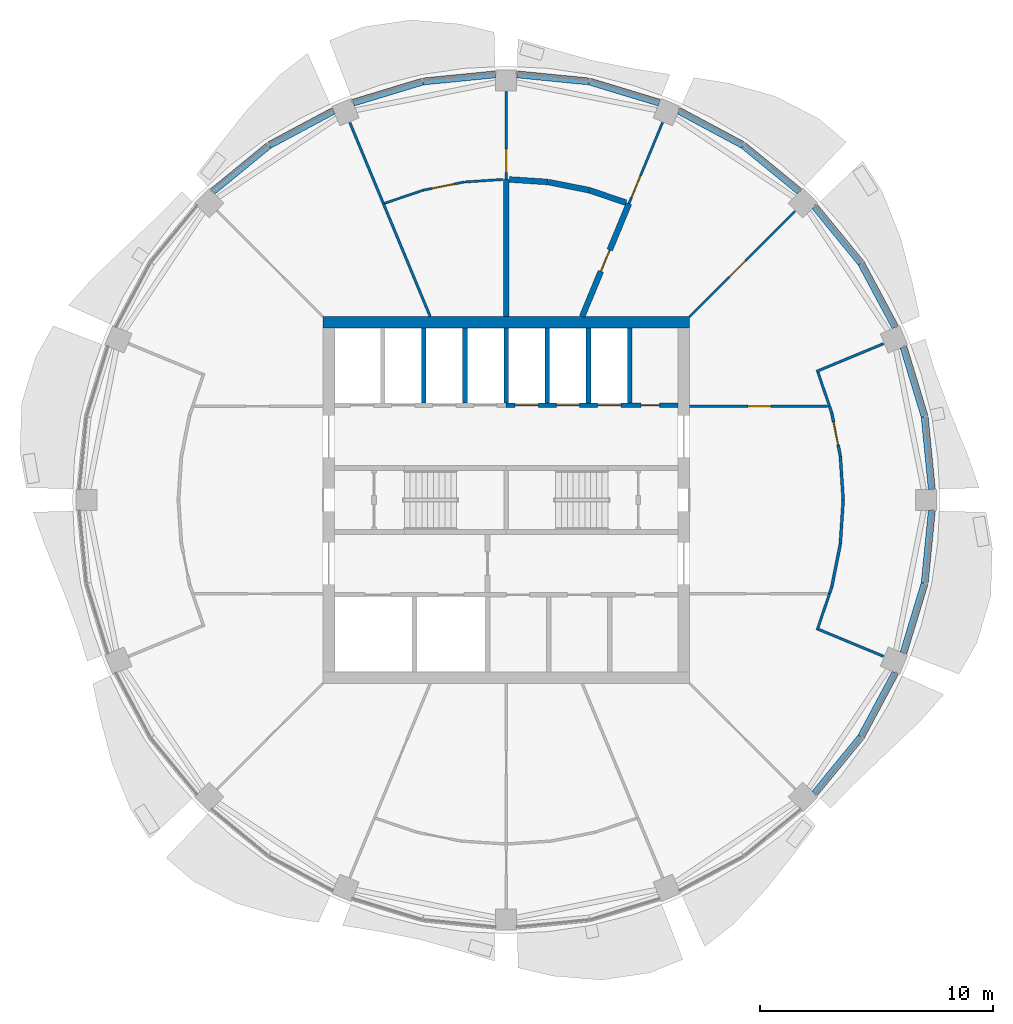
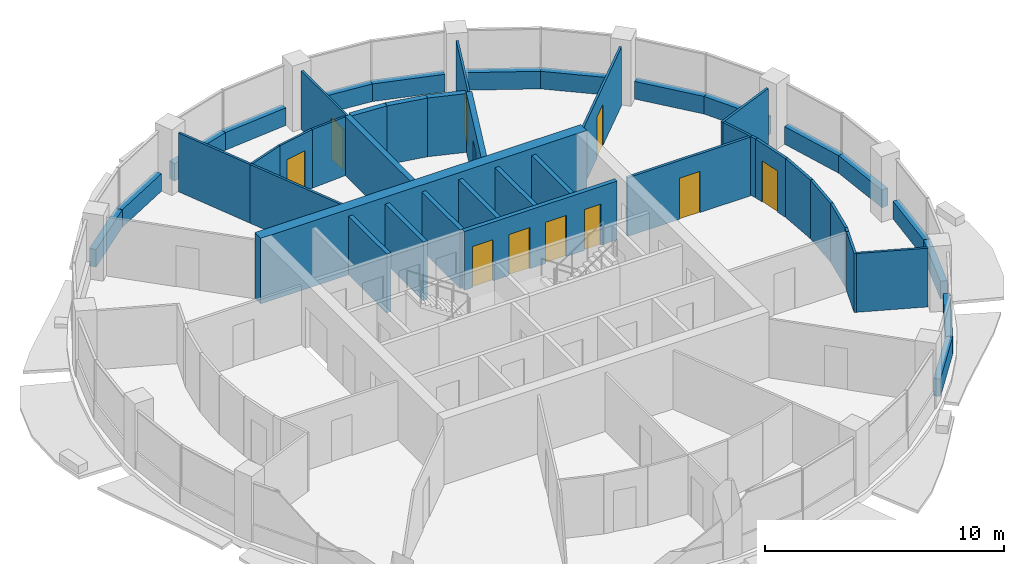
# One storey, part 10 of 15: 48 walls, 11 doors, 11 openings.
"""IFC4 building model written with IfcOpenShell, lengths in metres."""

from ifc_helpers import new_model, si_unit, direction, frame, frame_2d, origin, place, context, subcontext, project, spatial, rectangle, extrude, material, layer, layer_set, type_object, element, fill, save


model = new_model("IFC4")

# Units and contexts
model_context = context("Model", 3, precision=1e-05, world=origin(), true_north=direction((0.0, 1.0)))
body_context = subcontext(model_context, "Body", "Model", "MODEL_VIEW")
ifc_project = project(units=[si_unit("LENGTHUNIT", "METRE"), si_unit("AREAUNIT", "SQUARE_METRE"), si_unit("VOLUMEUNIT", "CUBIC_METRE"), si_unit("PLANEANGLEUNIT", "RADIAN"), si_unit("MASSUNIT", "GRAM", prefix="KILO")], contexts=[model_context])

# Site, building, storey
site_placement = place(None, origin())
site = spatial("IfcSite", under=ifc_project, at=site_placement, CompositionType="ELEMENT")
building_placement = place(site_placement, origin())
building = spatial("IfcBuilding", under=site, at=building_placement, Name="Polderwave Tower", CompositionType="ELEMENT")
storey_placement = place(building_placement, frame((0.0, 0.0, 177.60009765625)))
storey = spatial("IfcBuildingStorey", under=building, at=storey_placement, Name="L47", CompositionType="ELEMENT", Elevation=177.60009765625)

# Walls
ifc_material_1 = material(Name="Concrete C60/75", Category="concrete")
ifc_layer_1 = layer(ifc_material_1, 0.5)
ifc_layer_set_1 = layer_set([ifc_layer_1], Name="CORE WALL 500 C60/75")
wall_type_1 = type_object("IfcWallType", Name="CORE WALL 500 C60/75", PredefinedType="SHEAR", material=ifc_layer_set_1)
wall_1_placement = place(storey_placement, frame((-7.8740234375, 7.6240234375, 0.0), z_axis=(0.0, 0.0, 1.0), x_axis=(1.0, 0.0, 0.0)))
element("IfcWall", 1, at=wall_1_placement, inside=storey, type_object=wall_type_1, Name="ST-CORE-L47-N", PredefinedType="SHEAR", context=body_context, shape_type="SweptSolid", body=[
    extrude(rectangle(XDim=15.748046875, YDim=0.5, at=frame_2d((7.8740234375, 0.0))), origin(), (0.0, 0.0, 1.0), 3.349853515625),
])
ifc_material_2 = material(Name="Concrete C50/60 (board-marked)", Category="concrete")
ifc_layer_2 = layer(ifc_material_2, 0.300048828125)
ifc_layer_set_2 = layer_set([ifc_layer_2], Name="Concrete spandrel upstand C50/60")
wall_type_2 = type_object("IfcWallType", Name="Concrete spandrel upstand C50/60", PredefinedType="SOLIDWALL", material=ifc_layer_set_2)
wall_2_placement = place(storey_placement, frame((18.2744140625, 0.4638671875, 0.0), z_axis=(0.0, 0.0, 1.0), x_axis=(-0.098042483483, 0.995182230264, 0.0)))
element("IfcWall", 2, at=wall_2_placement, inside=storey, type_object=wall_type_2, Name="Spandrel L47 1a", PredefinedType="SOLIDWALL", context=body_context, shape_type="SweptSolid", body=[
    extrude(rectangle(XDim=3.110107421875, YDim=0.300048828125, at=frame_2d((1.55517578125, 0.0))), origin(), (0.0, 0.0, 1.0), 0.89990234375),
])
for number, where, z_axis, x_axis, name in (
    (3, (17.963623046875, 3.58837890625, 0.0), (0.0, 0.0, 1.0), (-0.290421284339, 0.956898885778, 0.0), "Spandrel L47 1b"),
    (4, (16.705810546875, 7.422119140625, 0.0), (0.0, 0.0, 1.0), (-0.471598312985, 0.881813490025, 0.0), "Spandrel L47 2a"),
):
    element("IfcWall", number, at=place(storey_placement, frame(where, z_axis=z_axis, x_axis=x_axis)), inside=storey, type_object=wall_type_2, Name=name, PredefinedType="SOLIDWALL", context=body_context, shape_type="SweptSolid", body=[
        extrude(rectangle(XDim=3.1103515625, YDim=0.300048828125, at=frame_2d((1.55517578125, 0.0))), origin(), (0.0, 0.0, 1.0), 0.89990234375),
    ])
for number, where, z_axis, x_axis, name in (
    (5, (15.222412109375, 10.189697265625, 0.0), (0.0, 0.0, 1.0), (-0.634267296653, 0.773113831461, 0.0), "Spandrel L47 2b"),
    (6, (12.594482421875, 13.24951171875, 0.0), (0.0, 0.0, 1.0), (-0.773113831461, 0.634267296653, 0.0), "Spandrel L47 3a"),
):
    element("IfcWall", number, at=place(storey_placement, frame(where, z_axis=z_axis, x_axis=x_axis)), inside=storey, type_object=wall_type_2, Name=name, PredefinedType="SOLIDWALL", context=body_context, shape_type="SweptSolid", body=[
        extrude(rectangle(XDim=3.110595703125, YDim=0.300048828125, at=frame_2d((1.55517578125, 0.0))), origin(), (0.0, 0.0, 1.0), 0.89990234375),
    ])
for number, where, z_axis, x_axis, name in (
    (7, (10.164794921875, 15.239013671875, 0.0), (0.0, 0.0, 1.0), (-0.881813490025, 0.471598312985, 0.0), "Spandrel L47 3b"),
    (8, (6.564697265625, 17.060302734375, 0.0), (0.0, 0.0, 1.0), (-0.956898885778, 0.290421284339, 0.0), "Spandrel L47 4a"),
):
    element("IfcWall", number, at=place(storey_placement, frame(where, z_axis=z_axis, x_axis=x_axis)), inside=storey, type_object=wall_type_2, Name=name, PredefinedType="SOLIDWALL", context=body_context, shape_type="SweptSolid", body=[
        extrude(rectangle(XDim=3.1103515625, YDim=0.300048828125, at=frame_2d((1.55517578125, 0.0))), origin(), (0.0, 0.0, 1.0), 0.89990234375),
    ])
for number, where, z_axis, x_axis, name in (
    (9, (3.55908203125, 17.969482421875, 0.0), (0.0, 0.0, 1.0), (-0.995182230264, 0.098042483483, 0.0), "Spandrel L47 4b"),
    (10, (-0.4638671875, 18.2744140625, 0.0), (0.0, 0.0, 1.0), (-0.995182230264, -0.098042483483, 0.0), "Spandrel L47 5a"),
):
    element("IfcWall", number, at=place(storey_placement, frame(where, z_axis=z_axis, x_axis=x_axis)), inside=storey, type_object=wall_type_2, Name=name, PredefinedType="SOLIDWALL", context=body_context, shape_type="SweptSolid", body=[
        extrude(rectangle(XDim=3.110107421875, YDim=0.300048828125, at=frame_2d((1.55517578125, 0.0))), origin(), (0.0, 0.0, 1.0), 0.89990234375),
    ])
for number, where, z_axis, x_axis, name in (
    (11, (-3.58837890625, 17.963623046875, 0.0), (0.0, 0.0, 1.0), (-0.956898885778, -0.290421284339, 0.0), "Spandrel L47 5b"),
    (12, (-7.422119140625, 16.705810546875, 0.0), (0.0, 0.0, 1.0), (-0.881813490025, -0.471598312985, 0.0), "Spandrel L47 6a"),
):
    element("IfcWall", number, at=place(storey_placement, frame(where, z_axis=z_axis, x_axis=x_axis)), inside=storey, type_object=wall_type_2, Name=name, PredefinedType="SOLIDWALL", context=body_context, shape_type="SweptSolid", body=[
        extrude(rectangle(XDim=3.1103515625, YDim=0.300048828125, at=frame_2d((1.55517578125, 0.0))), origin(), (0.0, 0.0, 1.0), 0.89990234375),
    ])
for number, where, z_axis, x_axis, name in (
    (13, (-10.189697265625, 15.222412109375, 0.0), (0.0, 0.0, 1.0), (-0.773113831461, -0.634267296653, 0.0), "Spandrel L47 6b"),
    (14, (13.24951171875, -12.594482421875, 0.0), (0.0, 0.0, 1.0), (0.634267296653, 0.773113831461, 0.0), "Spandrel L47 15a"),
):
    element("IfcWall", number, at=place(storey_placement, frame(where, z_axis=z_axis, x_axis=x_axis)), inside=storey, type_object=wall_type_2, Name=name, PredefinedType="SOLIDWALL", context=body_context, shape_type="SweptSolid", body=[
        extrude(rectangle(XDim=3.110595703125, YDim=0.300048828125, at=frame_2d((1.55517578125, 0.0))), origin(), (0.0, 0.0, 1.0), 0.89990234375),
    ])
for number, where, z_axis, x_axis, name in (
    (15, (15.239013671875, -10.164794921875, 0.0), (0.0, 0.0, 1.0), (0.471598312985, 0.881813490025, 0.0), "Spandrel L47 15b"),
    (16, (17.060302734375, -6.564697265625, 0.0), (0.0, 0.0, 1.0), (0.290421284339, 0.956898885778, 0.0), "Spandrel L47 16a"),
):
    element("IfcWall", number, at=place(storey_placement, frame(where, z_axis=z_axis, x_axis=x_axis)), inside=storey, type_object=wall_type_2, Name=name, PredefinedType="SOLIDWALL", context=body_context, shape_type="SweptSolid", body=[
        extrude(rectangle(XDim=3.1103515625, YDim=0.300048828125, at=frame_2d((1.55517578125, 0.0))), origin(), (0.0, 0.0, 1.0), 0.89990234375),
    ])
wall_3_placement = place(storey_placement, frame((17.969482421875, -3.55908203125, 0.0), z_axis=(0.0, 0.0, 1.0), x_axis=(0.098042483483, 0.995182230264, 0.0)))
element("IfcWall", 17, at=wall_3_placement, inside=storey, type_object=wall_type_2, Name="Spandrel L47 16b", PredefinedType="SOLIDWALL", context=body_context, shape_type="SweptSolid", body=[
    extrude(rectangle(XDim=3.110107421875, YDim=0.300048828125, at=frame_2d((1.55517578125, 0.0))), origin(), (0.0, 0.0, 1.0), 0.89990234375),
])

# Wall, openings, doors
ifc_material_3 = material(Name="Concrete C50/60", Category="concrete")
ifc_layer_3 = layer(ifc_material_3, 0.199951171875)
ifc_layer_set_3 = layer_set([ifc_layer_3], Name="Core web wall 200")
wall_type_3 = type_object("IfcWallType", Name="Core web wall 200", PredefinedType="SHEAR", material=ifc_layer_set_3)
wall_4_placement = place(storey_placement, frame((0.0, 4.073974609375, 0.0), z_axis=(0.0, 0.0, 1.0), x_axis=(1.0, 0.0, 0.0)))
wall_4 = element("IfcWall", 18, at=wall_4_placement, inside=storey, type_object=wall_type_3, Name="L47 north front wall 2", PredefinedType="SHEAR", context=body_context, shape_type="SweptSolid", body=[
    extrude(rectangle(XDim=7.3740234375, YDim=0.199951171875, at=frame_2d((3.68701171875, 0.0))), origin(), (0.0, 0.0, 1.0), 3.0),
])
opening_1_placement = place(wall_4_placement, frame((0.38427734375, 0.0, 0.0)))
opening_1 = element("IfcOpeningElement", 19, at=opening_1_placement, cuts=wall_4, Name="Opening L47-D07", PredefinedType="OPENING", context=body_context, shape_type="SweptSolid", body=[
    extrude(rectangle(XDim=1.0, YDim=2.10009765625, at=frame_2d((0.5, 1.050048828125))), frame((0.0, 0.10986328125, 0.0), z_axis=(0.0, -1.0, 0.0), x_axis=(1.0, 0.0, 0.0)), (0.0, 0.0, 1.0), 0.219970703125),
])
opening_2_placement = place(wall_4_placement, frame((2.15283203125, 0.0, 0.0)))
opening_2 = element("IfcOpeningElement", 20, at=opening_2_placement, cuts=wall_4, Name="Opening L47-D08", PredefinedType="OPENING", context=body_context, shape_type="SweptSolid", body=[
    extrude(rectangle(XDim=1.0, YDim=2.10009765625, at=frame_2d((0.5, 1.050048828125))), frame((0.0, 0.10986328125, 0.0), z_axis=(0.0, -1.0, 0.0), x_axis=(1.0, 0.0, 0.0)), (0.0, 0.0, 1.0), 0.219970703125),
])
opening_3_placement = place(wall_4_placement, frame((3.921142578125, 0.0, 0.0)))
opening_3 = element("IfcOpeningElement", 21, at=opening_3_placement, cuts=wall_4, Name="Opening L47-D09", PredefinedType="OPENING", context=body_context, shape_type="SweptSolid", body=[
    extrude(rectangle(XDim=1.0, YDim=2.10009765625, at=frame_2d((0.5, 1.050048828125))), frame((0.0, 0.10986328125, 0.0), z_axis=(0.0, -1.0, 0.0), x_axis=(1.0, 0.0, 0.0)), (0.0, 0.0, 1.0), 0.219970703125),
])
opening_4_placement = place(wall_4_placement, frame((5.789794921875, 0.0, 0.0)))
opening_4 = element("IfcOpeningElement", 22, at=opening_4_placement, cuts=wall_4, Name="Opening L47-D18", PredefinedType="OPENING", context=body_context, shape_type="SweptSolid", body=[
    extrude(rectangle(XDim=0.800048828125, YDim=2.10009765625, at=frame_2d((0.39990234375, 1.050048828125))), frame((0.0, 0.10986328125, 0.0), z_axis=(0.0, -1.0, 0.0), x_axis=(1.0, 0.0, 0.0)), (0.0, 0.0, 1.0), 0.219970703125),
])
ifc_material_4 = material(Name="Stainless steel", Category="steel")
door_type_1 = type_object("IfcDoorType", Name="Lift landing door 1000", OperationType="DOUBLE_DOOR_SLIDING", PredefinedType="DOOR", material=ifc_material_4)
door_1_placement = place(opening_1_placement, frame((1.0, 0.0, 0.0), z_axis=(0.0, 0.0, 1.0), x_axis=(-1.0, 0.0, 0.0)))
door_1 = element("IfcDoor", 23, at=door_1_placement, inside=storey, type_object=door_type_1, Name="Lift HL5 landing door", OperationType="DOUBLE_DOOR_SLIDING", OverallHeight=2.10009765625, OverallWidth=1.0, PredefinedType="DOOR", context=body_context, shape_type="SweptSolid", body=[
    extrude(rectangle(XDim=1.0, YDim=2.10009765625, at=frame_2d((0.5, 1.050048828125))), frame((0.0, 0.02490234375, 0.0), z_axis=(0.0, -1.0, 0.0), x_axis=(1.0, 0.0, 0.0)), (0.0, 0.0, 1.0), 0.050048828125),
])
fill(opening_1, door_1)
door_2_placement = place(opening_2_placement, frame((1.0, 0.0, 0.0), z_axis=(0.0, 0.0, 1.0), x_axis=(-1.0, 0.0, 0.0)))
door_2 = element("IfcDoor", 24, at=door_2_placement, inside=storey, type_object=door_type_1, Name="Lift HL6 landing door", OperationType="DOUBLE_DOOR_SLIDING", OverallHeight=2.10009765625, OverallWidth=1.0, PredefinedType="DOOR", context=body_context, shape_type="SweptSolid", body=[
    extrude(rectangle(XDim=1.0, YDim=2.10009765625, at=frame_2d((0.5, 1.050048828125))), frame((0.0, 0.02490234375, 0.0), z_axis=(0.0, -1.0, 0.0), x_axis=(1.0, 0.0, 0.0)), (0.0, 0.0, 1.0), 0.050048828125),
])
fill(opening_2, door_2)
door_3_placement = place(opening_3_placement, frame((1.0, 0.0, 0.0), z_axis=(0.0, 0.0, 1.0), x_axis=(-1.0, 0.0, 0.0)))
door_3 = element("IfcDoor", 25, at=door_3_placement, inside=storey, type_object=door_type_1, Name="Lift HL7 landing door", OperationType="DOUBLE_DOOR_SLIDING", OverallHeight=2.10009765625, OverallWidth=1.0, PredefinedType="DOOR", context=body_context, shape_type="SweptSolid", body=[
    extrude(rectangle(XDim=1.0, YDim=2.10009765625, at=frame_2d((0.5, 1.050048828125))), frame((0.0, 0.02490234375, 0.0), z_axis=(0.0, -1.0, 0.0), x_axis=(1.0, 0.0, 0.0)), (0.0, 0.0, 1.0), 0.050048828125),
])
fill(opening_3, door_3)
ifc_material_5 = material(Name="Steel fire door", Category="steel")
door_type_2 = type_object("IfcDoorType", Name="Riser door 800", OperationType="NOTDEFINED", PredefinedType="DOOR", material=ifc_material_5)
door_4_placement = place(opening_4_placement, frame((0.800048828125, 0.0, 0.0), z_axis=(0.0, 0.0, 1.0), x_axis=(-1.0, 0.0, 0.0)))
door_4 = element("IfcDoor", 26, at=door_4_placement, inside=storey, type_object=door_type_2, Name="Riser door", OperationType="SINGLE_SWING_LEFT", OverallHeight=2.10009765625, OverallWidth=0.800048828125, PredefinedType="DOOR", context=body_context, shape_type="SweptSolid", body=[
    extrude(rectangle(XDim=0.800048828125, YDim=2.10009765625, at=frame_2d((0.39990234375, 1.050048828125))), frame((0.0, 0.02490234375, 0.0), z_axis=(0.0, -1.0, 0.0), x_axis=(1.0, 0.0, 0.0)), (0.0, 0.0, 1.0), 0.050048828125),
])
fill(opening_4, door_4)

# Walls
ifc_material_6 = material(Name="Fire-resisting board on steel studs", Category="steel")
ifc_layer_4 = layer(ifc_material_6, 0.125)
ifc_layer_set_4 = layer_set([ifc_layer_4], Name="Corridor wall 125 mm EI 60")
wall_type_4 = type_object("IfcWallType", Name="Corridor wall 125 mm EI 60", PredefinedType="PARTITIONING", material=ifc_layer_set_4)
for number, where, z_axis, x_axis, name in (
    (27, (13.882080078125, 4.0244140625, 0.0), (0.0, 0.0, 1.0), (0.321511421405, -0.946905700641, 0.0), "IN-L47-W001"),
    (28, (13.9755859375, -3.7490234375, 0.0), (0.0, 0.0, 1.0), (-0.321511421405, -0.946905700641, 0.0), "IN-L47-W002"),
):
    element("IfcWall", number, at=place(storey_placement, frame(where, z_axis=z_axis, x_axis=x_axis)), inside=storey, type_object=wall_type_4, Name=name, PredefinedType="PARTITIONING", context=body_context, shape_type="SweptSolid", body=[
        extrude(rectangle(XDim=0.290771484375, YDim=0.125, at=frame_2d((0.1455078125, 0.0))), origin(), (0.0, 0.0, 1.0), 3.0),
    ])

# Wall, opening, door
wall_5_placement = place(storey_placement, frame((13.977783203125, 3.7412109375, 0.0), z_axis=(0.0, 0.0, 1.0), x_axis=(0.195069832264, -0.980789355846, 0.0)))
wall_5 = element("IfcWall", 29, at=wall_5_placement, inside=storey, type_object=wall_type_4, Name="IN-L47-W003", PredefinedType="PARTITIONING", context=body_context, shape_type="SweptSolid", body=[
    extrude(rectangle(XDim=1.884765625, YDim=0.125, at=frame_2d((0.9423828125, 0.0))), origin(), (0.0, 0.0, 1.0), 3.0),
])
opening_5_placement = place(wall_5_placement, frame((0.39990234375, 0.0, 0.0)))
opening_5 = element("IfcOpeningElement", 30, at=opening_5_placement, cuts=wall_5, Name="Opening L47-D50", PredefinedType="OPENING", context=body_context, shape_type="SweptSolid", body=[
    extrude(rectangle(XDim=1.0, YDim=2.10009765625, at=frame_2d((0.5, 1.050048828125))), frame((0.0, 0.072509765625, 0.0), z_axis=(0.0, -1.0, 0.0), x_axis=(1.0, 0.0, 0.0)), (0.0, 0.0, 1.0), 0.14501953125),
])
ifc_material_7 = material(Name="Timber fire door leaf", Category="wood")
door_type_3 = type_object("IfcDoorType", Name="Fire door FD30S 1000 x 2100", OperationType="NOTDEFINED", PredefinedType="DOOR", material=ifc_material_7)
door_5_placement = place(opening_5_placement, origin())
door_5 = element("IfcDoor", 31, at=door_5_placement, inside=storey, type_object=door_type_3, Name="Door L47-D50", OperationType="SINGLE_SWING_LEFT", OverallHeight=2.10009765625, OverallWidth=1.0, PredefinedType="DOOR", context=body_context, shape_type="SweptSolid", body=[
    extrude(rectangle(XDim=1.0, YDim=2.10009765625, at=frame_2d((0.5, 1.050048828125))), frame((0.0, 0.02490234375, 0.0), z_axis=(0.0, -1.0, 0.0), x_axis=(1.0, 0.0, 0.0)), (0.0, 0.0, 1.0), 0.050048828125),
])
fill(opening_5, door_5)

# Walls
wall_6_placement = place(storey_placement, frame((14.345458984375, -1.892578125, 0.0), z_axis=(0.0, 0.0, 1.0), x_axis=(-0.195069832264, -0.980789355846, 0.0)))
element("IfcWall", 32, at=wall_6_placement, inside=storey, type_object=wall_type_4, Name="IN-L47-W004", PredefinedType="PARTITIONING", context=body_context, shape_type="SweptSolid", body=[
    extrude(rectangle(XDim=1.884765625, YDim=0.125, at=frame_2d((0.9423828125, 0.0))), origin(), (0.0, 0.0, 1.0), 3.0),
])
for number, where, z_axis, x_axis, name in (
    (33, (14.346435546875, 1.884521484375, 0.0), (0.0, 0.0, 1.0), (0.065426898124, -0.997857365059, 0.0), "IN-L47-W005"),
    (34, (14.4697265625, -0.004150390625, 0.0), (0.0, 0.0, 1.0), (-0.065426898124, -0.997857365059, 0.0), "IN-L47-W006"),
):
    element("IfcWall", number, at=place(storey_placement, frame(where, z_axis=z_axis, x_axis=x_axis)), inside=storey, type_object=wall_type_4, Name=name, PredefinedType="PARTITIONING", context=body_context, shape_type="SweptSolid", body=[
        extrude(rectangle(XDim=1.884521484375, YDim=0.125, at=frame_2d((0.9423828125, 0.0))), origin(), (0.0, 0.0, 1.0), 3.0),
    ])

# Wall, opening, door
wall_7_placement = place(storey_placement, frame((7.8740234375, 4.0244140625, 0.0), z_axis=(0.0, 0.0, 1.0), x_axis=(1.0, 0.0, 0.0)))
wall_7 = element("IfcWall", 35, at=wall_7_placement, inside=storey, type_object=wall_type_4, Name="IN-L47-W007", PredefinedType="PARTITIONING", context=body_context, shape_type="SweptSolid", body=[
    extrude(rectangle(XDim=5.9208984375, YDim=0.125, at=frame_2d((2.96044921875, 0.0))), origin(), (0.0, 0.0, 1.0), 3.0),
])
opening_6_placement = place(wall_7_placement, frame((2.5, 0.0, 0.0)))
opening_6 = element("IfcOpeningElement", 36, at=opening_6_placement, cuts=wall_7, Name="Opening L47-D51", PredefinedType="OPENING", context=body_context, shape_type="SweptSolid", body=[
    extrude(rectangle(XDim=1.0, YDim=2.10009765625, at=frame_2d((0.5, 1.050048828125))), frame((0.0, 0.072509765625, 0.0), z_axis=(0.0, -1.0, 0.0), x_axis=(1.0, 0.0, 0.0)), (0.0, 0.0, 1.0), 0.14501953125),
])
door_6_placement = place(opening_6_placement, origin())
door_6 = element("IfcDoor", 37, at=door_6_placement, inside=storey, type_object=door_type_3, Name="Door L47-D51", OperationType="SINGLE_SWING_RIGHT", OverallHeight=2.10009765625, OverallWidth=1.0, PredefinedType="DOOR", context=body_context, shape_type="SweptSolid", body=[
    extrude(rectangle(XDim=1.0, YDim=2.10009765625, at=frame_2d((0.5, 1.050048828125))), frame((0.0, 0.02490234375, 0.0), z_axis=(0.0, -1.0, 0.0), x_axis=(1.0, 0.0, 0.0)), (0.0, 0.0, 1.0), 0.050048828125),
])
fill(opening_6, door_6)

ifc_material_8 = material(Name="Plasterboard on steel studs", Category="steel")
ifc_layer_5 = layer(ifc_material_8, 0.10009765625)
ifc_layer_set_5 = layer_set([ifc_layer_5], Name="Partition 100 mm plasterboard on steel studs")
wall_type_5 = type_object("IfcWallType", Name="Partition 100 mm plasterboard on steel studs", PredefinedType="PARTITIONING", material=ifc_layer_set_5)
wall_8_placement = place(storey_placement, frame((7.8740234375, 7.8740234375, 0.0), z_axis=(0.0, 0.0, 1.0), x_axis=(0.707106781187, 0.707106781187, 0.0)))
wall_8 = element("IfcWall", 38, at=wall_8_placement, inside=storey, type_object=wall_type_5, Name="IN-L47-W021", PredefinedType="PARTITIONING", context=body_context, shape_type="SweptSolid", body=[
    extrude(rectangle(XDim=6.404296875, YDim=0.10009765625, at=frame_2d((3.2021484375, 0.0))), origin(), (0.0, 0.0, 1.0), 3.0),
])
opening_7_placement = place(wall_8_placement, frame((2.39990234375, 0.0, 0.0)))
opening_7 = element("IfcOpeningElement", 39, at=opening_7_placement, cuts=wall_8, Name="Opening L47-D56", PredefinedType="OPENING", context=body_context, shape_type="SweptSolid", body=[
    extrude(rectangle(XDim=1.0, YDim=2.10009765625, at=frame_2d((0.5, 1.050048828125))), frame((0.0, 0.06005859375, 0.0), z_axis=(0.0, -1.0, 0.0), x_axis=(1.0, 0.0, 0.0)), (0.0, 0.0, 1.0), 0.1201171875),
])
ifc_material_9 = material(Name="Timber veneer door leaf", Category="wood")
door_type_4 = type_object("IfcDoorType", Name="Single door 1000 x 2100", OperationType="NOTDEFINED", PredefinedType="DOOR", material=ifc_material_9)
door_7_placement = place(opening_7_placement, origin())
door_7 = element("IfcDoor", 40, at=door_7_placement, inside=storey, type_object=door_type_4, Name="Door L47-D56", OperationType="SINGLE_SWING_LEFT", OverallHeight=2.10009765625, OverallWidth=1.0, PredefinedType="DOOR", context=body_context, shape_type="SweptSolid", body=[
    extrude(rectangle(XDim=1.0, YDim=2.10009765625, at=frame_2d((0.5, 1.050048828125))), frame((0.0, 0.02490234375, 0.0), z_axis=(0.0, -1.0, 0.0), x_axis=(1.0, 0.0, 0.0)), (0.0, 0.0, 1.0), 0.050048828125),
])
fill(opening_7, door_7)

wall_9_placement = place(storey_placement, frame((5.26953125, 12.7216796875, 0.0), z_axis=(0.0, 0.0, 1.0), x_axis=(0.382706376162, 0.923870028546, 0.0)))
wall_9 = element("IfcWall", 41, at=wall_9_placement, inside=storey, type_object=wall_type_5, Name="IN-L47-W023", PredefinedType="PARTITIONING", context=body_context, shape_type="SweptSolid", body=[
    extrude(rectangle(XDim=3.770263671875, YDim=0.10009765625, at=frame_2d((1.88525390625, 0.0))), origin(), (0.0, 0.0, 1.0), 3.0),
])
opening_8_placement = place(wall_9_placement, frame((0.300048828125, 0.0, 0.0)))
opening_8 = element("IfcOpeningElement", 42, at=opening_8_placement, cuts=wall_9, Name="Opening L47-D58", PredefinedType="OPENING", context=body_context, shape_type="SweptSolid", body=[
    extrude(rectangle(XDim=1.0, YDim=2.10009765625, at=frame_2d((0.5, 1.050048828125))), frame((0.0, 0.06005859375, 0.0), z_axis=(0.0, -1.0, 0.0), x_axis=(1.0, 0.0, 0.0)), (0.0, 0.0, 1.0), 0.1201171875),
])
door_8_placement = place(opening_8_placement, origin())
door_8 = element("IfcDoor", 43, at=door_8_placement, inside=storey, type_object=door_type_4, Name="Door L47-D58", OperationType="SINGLE_SWING_LEFT", OverallHeight=2.10009765625, OverallWidth=1.0, PredefinedType="DOOR", context=body_context, shape_type="SweptSolid", body=[
    extrude(rectangle(XDim=1.0, YDim=2.10009765625, at=frame_2d((0.5, 1.050048828125))), frame((0.0, 0.02490234375, 0.0), z_axis=(0.0, -1.0, 0.0), x_axis=(1.0, 0.0, 0.0)), (0.0, 0.0, 1.0), 0.050048828125),
])
fill(opening_8, door_8)

wall_10_placement = place(storey_placement, frame((0.0, 13.77001953125, 0.0), z_axis=(0.0, 0.0, 1.0), x_axis=(0.0, 1.0, 0.0)))
wall_10 = element("IfcWall", 44, at=wall_10_placement, inside=storey, type_object=wall_type_5, Name="IN-L47-W028", PredefinedType="PARTITIONING", context=body_context, shape_type="SweptSolid", body=[
    extrude(rectangle(XDim=3.77001953125, YDim=0.10009765625, at=frame_2d((1.885009765625, 0.0))), origin(), (0.0, 0.0, 1.0), 3.0),
])
opening_9_placement = place(wall_10_placement, frame((0.300048828125, 0.0, 0.0)))
opening_9 = element("IfcOpeningElement", 45, at=opening_9_placement, cuts=wall_10, Name="Opening L47-D59", PredefinedType="OPENING", context=body_context, shape_type="SweptSolid", body=[
    extrude(rectangle(XDim=1.0, YDim=2.10009765625, at=frame_2d((0.5, 1.050048828125))), frame((0.0, 0.06005859375, 0.0), z_axis=(0.0, -1.0, 0.0), x_axis=(1.0, 0.0, 0.0)), (0.0, 0.0, 1.0), 0.1201171875),
])
door_9_placement = place(opening_9_placement, origin())
door_9 = element("IfcDoor", 46, at=door_9_placement, inside=storey, type_object=door_type_4, Name="Door L47-D59", OperationType="SINGLE_SWING_LEFT", OverallHeight=2.10009765625, OverallWidth=1.0, PredefinedType="DOOR", context=body_context, shape_type="SweptSolid", body=[
    extrude(rectangle(XDim=1.0, YDim=2.10009765625, at=frame_2d((0.5, 1.050048828125))), frame((0.0, 0.02490234375, 0.0), z_axis=(0.0, -1.0, 0.0), x_axis=(1.0, 0.0, 0.0)), (0.0, 0.0, 1.0), 0.050048828125),
])
fill(opening_9, door_9)

# Wall
wall_11_placement = place(storey_placement, frame((-5.214111328125, 12.740478515625, 0.0), z_axis=(0.0, 0.0, 1.0), x_axis=(0.946900132427, 0.321527820274, 0.0)))
element("IfcWall", 47, at=wall_11_placement, inside=storey, type_object=wall_type_5, Name="IN-L47-W029", PredefinedType="PARTITIONING", context=body_context, shape_type="SweptSolid", body=[
    extrude(rectangle(XDim=1.739501953125, YDim=0.10009765625, at=frame_2d((0.86962890625, 0.0))), origin(), (0.0, 0.0, 1.0), 3.0),
])

# Wall, opening, door
wall_12_placement = place(storey_placement, frame((-1.800537109375, 13.651611328125, 0.0), z_axis=(0.0, 0.0, 1.0), x_axis=(-0.980789397091, -0.195069624886, 0.0)))
wall_12 = element("IfcWall", 48, at=wall_12_placement, inside=storey, type_object=wall_type_5, Name="IN-L47-W030", PredefinedType="PARTITIONING", context=body_context, shape_type="SweptSolid", body=[
    extrude(rectangle(XDim=1.794677734375, YDim=0.10009765625, at=frame_2d((0.8974609375, 0.0))), origin(), (0.0, 0.0, 1.0), 3.0),
])
opening_10_placement = place(wall_12_placement, frame((0.39990234375, 0.0, 0.0)))
opening_10 = element("IfcOpeningElement", 49, at=opening_10_placement, cuts=wall_12, Name="Opening L47-D60", PredefinedType="OPENING", context=body_context, shape_type="SweptSolid", body=[
    extrude(rectangle(XDim=1.0, YDim=2.10009765625, at=frame_2d((0.5, 1.050048828125))), frame((0.0, 0.06005859375, 0.0), z_axis=(0.0, -1.0, 0.0), x_axis=(1.0, 0.0, 0.0)), (0.0, 0.0, 1.0), 0.1201171875),
])
door_10_placement = place(opening_10_placement, origin())
door_10 = element("IfcDoor", 50, at=door_10_placement, inside=storey, type_object=door_type_4, Name="Door L47-D60", OperationType="SINGLE_SWING_RIGHT", OverallHeight=2.10009765625, OverallWidth=1.0, PredefinedType="DOOR", context=body_context, shape_type="SweptSolid", body=[
    extrude(rectangle(XDim=1.0, YDim=2.10009765625, at=frame_2d((0.5, 1.050048828125))), frame((0.0, 0.02490234375, 0.0), z_axis=(0.0, -1.0, 0.0), x_axis=(1.0, 0.0, 0.0)), (0.0, 0.0, 1.0), 0.050048828125),
])
fill(opening_10, door_10)

# Walls
wall_13_placement = place(storey_placement, frame((-1.7939453125, 13.65234375, 0.0), z_axis=(0.0, 0.0, 1.0), x_axis=(0.997850681937, 0.065528746043, 0.0)))
element("IfcWall", 51, at=wall_13_placement, inside=storey, type_object=wall_type_5, Name="IN-L47-W031", PredefinedType="PARTITIONING", context=body_context, shape_type="SweptSolid", body=[
    extrude(rectangle(XDim=1.669189453125, YDim=0.10009765625, at=frame_2d((0.83447265625, 0.0))), origin(), (0.0, 0.0, 1.0), 3.0),
])
ifc_material_10 = material(Name="Acoustic double plasterboard on steel studs", Category="steel")
ifc_layer_6 = layer(ifc_material_10, 0.110107421875)
ifc_layer_set_6 = layer_set([ifc_layer_6], Name="Partition 110 mm acoustic double board")
wall_type_6 = type_object("IfcWallType", Name="Partition 110 mm acoustic double board", PredefinedType="PARTITIONING", material=ifc_layer_set_6)
wall_14_placement = place(storey_placement, frame((13.317626953125, 5.516357421875, 0.0), z_axis=(0.0, 0.0, 1.0), x_axis=(0.923865434252, 0.382717466802, 0.0)))
element("IfcWall", 52, at=wall_14_placement, inside=storey, type_object=wall_type_6, Name="IN-L47-W017", PredefinedType="PARTITIONING", context=body_context, shape_type="SweptSolid", body=[
    extrude(rectangle(XDim=3.125244140625, YDim=0.110107421875, at=frame_2d((1.5625, 0.0))), origin(), (0.0, 0.0, 1.0), 3.0),
])
wall_15_placement = place(storey_placement, frame((13.882080078125, 4.0244140625, 0.0), z_axis=(0.0, 0.0, 1.0), x_axis=(-0.321410663338, 0.946939905956, 0.0)))
element("IfcWall", 53, at=wall_15_placement, inside=storey, type_object=wall_type_6, Name="IN-L47-W018", PredefinedType="PARTITIONING", context=body_context, shape_type="SweptSolid", body=[
    extrude(rectangle(XDim=1.538818359375, YDim=0.110107421875, at=frame_2d((0.76953125, 0.0))), origin(), (0.0, 0.0, 1.0), 3.0),
])
wall_16_placement = place(storey_placement, frame((13.350830078125, -5.589599609375, 0.0), z_axis=(0.0, 0.0, 1.0), x_axis=(0.321407512479, 0.946940975416, 0.0)))
element("IfcWall", 54, at=wall_16_placement, inside=storey, type_object=wall_type_6, Name="IN-L47-W019", PredefinedType="PARTITIONING", context=body_context, shape_type="SweptSolid", body=[
    extrude(rectangle(XDim=1.65283203125, YDim=0.110107421875, at=frame_2d((0.826416015625, 0.0))), origin(), (0.0, 0.0, 1.0), 3.0),
])
wall_17_placement = place(storey_placement, frame((16.204833984375, -6.71240234375, 0.0), z_axis=(0.0, 0.0, 1.0), x_axis=(-0.923849820371, 0.382755155943, 0.0)))
element("IfcWall", 55, at=wall_17_placement, inside=storey, type_object=wall_type_6, Name="IN-L47-W020", PredefinedType="PARTITIONING", context=body_context, shape_type="SweptSolid", body=[
    extrude(rectangle(XDim=3.01123046875, YDim=0.110107421875, at=frame_2d((1.505615234375, 0.0))), origin(), (0.0, 0.0, 1.0), 3.0),
])
wall_18_placement = place(storey_placement, frame((-3.261474609375, 7.8740234375, 0.0), z_axis=(0.0, 0.0, 1.0), x_axis=(-0.382698345407, 0.923873355186, 0.0)))
element("IfcWall", 56, at=wall_18_placement, inside=storey, type_object=wall_type_6, Name="IN-L47-W032", PredefinedType="PARTITIONING", context=body_context, shape_type="SweptSolid", body=[
    extrude(rectangle(XDim=5.2470703125, YDim=0.110107421875, at=frame_2d((2.62353515625, 0.0))), origin(), (0.0, 0.0, 1.0), 3.0),
])
wall_19_placement = place(storey_placement, frame((-5.26953125, 12.7216796875, 0.0), z_axis=(0.0, 0.0, 1.0), x_axis=(-0.382706376162, 0.923870028546, 0.0)))
element("IfcWall", 57, at=wall_19_placement, inside=storey, type_object=wall_type_6, Name="IN-L47-W033", PredefinedType="PARTITIONING", context=body_context, shape_type="SweptSolid", body=[
    extrude(rectangle(XDim=3.770263671875, YDim=0.110107421875, at=frame_2d((1.88525390625, 0.0))), origin(), (0.0, 0.0, 1.0), 3.0),
])

# Wall, opening, door
ifc_material_11 = material(Name="Fire-resisting board on steel studs, mineral wool", Category="steel")
ifc_layer_7 = layer(ifc_material_11, 0.25)
ifc_layer_set_7 = layer_set([ifc_layer_7], Name="Plant room wall 250 mm EI 120")
wall_type_7 = type_object("IfcWallType", Name="Plant room wall 250 mm EI 120", PredefinedType="PARTITIONING", material=ifc_layer_set_7)
wall_20_placement = place(storey_placement, frame((3.261474609375, 7.8740234375, 0.0), z_axis=(0.0, 0.0, 1.0), x_axis=(0.382698345407, 0.923873355186, 0.0)))
wall_20 = element("IfcWall", 58, at=wall_20_placement, inside=storey, type_object=wall_type_7, Name="IN-L47-W022", PredefinedType="PARTITIONING", context=body_context, shape_type="SweptSolid", body=[
    extrude(rectangle(XDim=5.2470703125, YDim=0.25, at=frame_2d((2.62353515625, 0.0))), origin(), (0.0, 0.0, 1.0), 3.0),
])
opening_11_placement = place(wall_20_placement, frame((2.10009765625, 0.0, 0.0)))
opening_11 = element("IfcOpeningElement", 59, at=opening_11_placement, cuts=wall_20, Name="Opening L47-D57", PredefinedType="OPENING", context=body_context, shape_type="SweptSolid", body=[
    extrude(rectangle(XDim=1.0, YDim=2.10009765625, at=frame_2d((0.5, 1.050048828125))), frame((0.0, 0.135009765625, 0.0), z_axis=(0.0, -1.0, 0.0), x_axis=(1.0, 0.0, 0.0)), (0.0, 0.0, 1.0), 0.27001953125),
])
ifc_material_12 = material(Name="Steel plant door leaf", Category="steel")
door_type_5 = type_object("IfcDoorType", Name="Plant door FD60 1000 x 2100 steel", OperationType="NOTDEFINED", PredefinedType="DOOR", material=ifc_material_12)
door_11_placement = place(opening_11_placement, origin())
door_11 = element("IfcDoor", 60, at=door_11_placement, inside=storey, type_object=door_type_5, Name="Door L47-D57", OperationType="SINGLE_SWING_LEFT", OverallHeight=2.10009765625, OverallWidth=1.0, PredefinedType="DOOR", context=body_context, shape_type="SweptSolid", body=[
    extrude(rectangle(XDim=1.0, YDim=2.10009765625, at=frame_2d((0.5, 1.050048828125))), frame((0.0, 0.02490234375, 0.0), z_axis=(0.0, -1.0, 0.0), x_axis=(1.0, 0.0, 0.0)), (0.0, 0.0, 1.0), 0.050048828125),
])
fill(opening_11, door_11)

# Walls
wall_21_placement = place(storey_placement, frame((0.13330078125, 13.76123046875, 0.0), z_axis=(0.0, 0.0, 1.0), x_axis=(0.997854270927, -0.065474071153, 0.0)))
element("IfcWall", 61, at=wall_21_placement, inside=storey, type_object=wall_type_7, Name="IN-L47-W024", PredefinedType="PARTITIONING", context=body_context, shape_type="SweptSolid", body=[
    extrude(rectangle(XDim=1.659423828125, YDim=0.25, at=frame_2d((0.82958984375, 0.0))), origin(), (0.0, 0.0, 1.0), 3.0),
])
wall_22_placement = place(storey_placement, frame((1.805419921875, 13.650634765625, 0.0), z_axis=(0.0, 0.0, 1.0), x_axis=(0.980790558622, -0.195063784741, 0.0)))
element("IfcWall", 62, at=wall_22_placement, inside=storey, type_object=wall_type_7, Name="IN-L47-W025", PredefinedType="PARTITIONING", context=body_context, shape_type="SweptSolid", body=[
    extrude(rectangle(XDim=1.78466796875, YDim=0.25, at=frame_2d((0.892333984375, 0.0))), origin(), (0.0, 0.0, 1.0), 3.0),
])
wall_23_placement = place(storey_placement, frame((3.57177734375, 13.298095703125, 0.0), z_axis=(0.0, 0.0, 1.0), x_axis=(0.946917930367, -0.321475400536, 0.0)))
element("IfcWall", 63, at=wall_23_placement, inside=storey, type_object=wall_type_7, Name="IN-L47-W026", PredefinedType="PARTITIONING", context=body_context, shape_type="SweptSolid", body=[
    extrude(rectangle(XDim=1.659423828125, YDim=0.25, at=frame_2d((0.82958984375, 0.0))), origin(), (0.0, 0.0, 1.0), 3.0),
])
wall_24_placement = place(storey_placement, frame((0.0, 7.8740234375, 0.0), z_axis=(0.0, 0.0, 1.0), x_axis=(0.0, 1.0, 0.0)))
element("IfcWall", 64, at=wall_24_placement, inside=storey, type_object=wall_type_7, Name="IN-L47-W027", PredefinedType="PARTITIONING", context=body_context, shape_type="SweptSolid", body=[
    extrude(rectangle(XDim=5.89599609375, YDim=0.25, at=frame_2d((2.947998046875, 0.0))), origin(), (0.0, 0.0, 1.0), 3.0),
])
ifc_material_13 = material(Name="Gypsum shaft wall system")
ifc_layer_8 = layer(ifc_material_13, 0.199951171875)
ifc_layer_set_8 = layer_set([ifc_layer_8], Name="Shaft wall 200")
wall_type_8 = type_object("IfcWallType", Name="Shaft wall 200", PredefinedType="PARTITIONING", material=ifc_layer_set_8)
for number, where, z_axis, x_axis, name in (
    (65, (-3.537109375, 4.174072265625, 0.0), (0.0, 0.0, 1.0), (0.0, 1.0, 0.0), "L47 lift shaft wall N2"),
    (66, (-1.7685546875, 4.174072265625, 0.0), (0.0, 0.0, 1.0), (0.0, 1.0, 0.0), "L47 lift shaft wall N3"),
    (67, (0.0, 4.174072265625, 0.0), (0.0, 0.0, 1.0), (0.0, 1.0, 0.0), "L47 lift shaft wall N4"),
    (68, (1.7685546875, 4.174072265625, 0.0), (0.0, 0.0, 1.0), (0.0, 1.0, 0.0), "L47 lift shaft wall N5"),
    (69, (3.537109375, 4.174072265625, 0.0), (0.0, 0.0, 1.0), (0.0, 1.0, 0.0), "L47 lift shaft wall N6"),
    (70, (5.305419921875, 4.174072265625, 0.0), (0.0, 0.0, 1.0), (0.0, 1.0, 0.0), "L47 lift shaft wall N7"),
):
    element("IfcWall", number, at=place(storey_placement, frame(where, z_axis=z_axis, x_axis=x_axis)), inside=storey, type_object=wall_type_8, Name=name, PredefinedType="PARTITIONING", context=body_context, shape_type="SweptSolid", body=[
        extrude(rectangle(XDim=3.199951171875, YDim=0.199951171875, at=frame_2d((1.60009765625, 0.0))), origin(), (0.0, 0.0, 1.0), 3.0),
    ])

save(model, "model.ifc")
